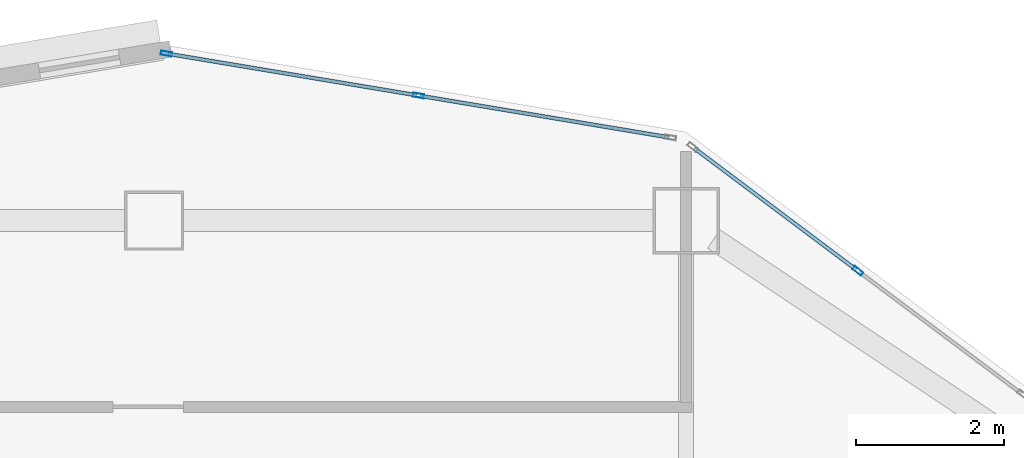
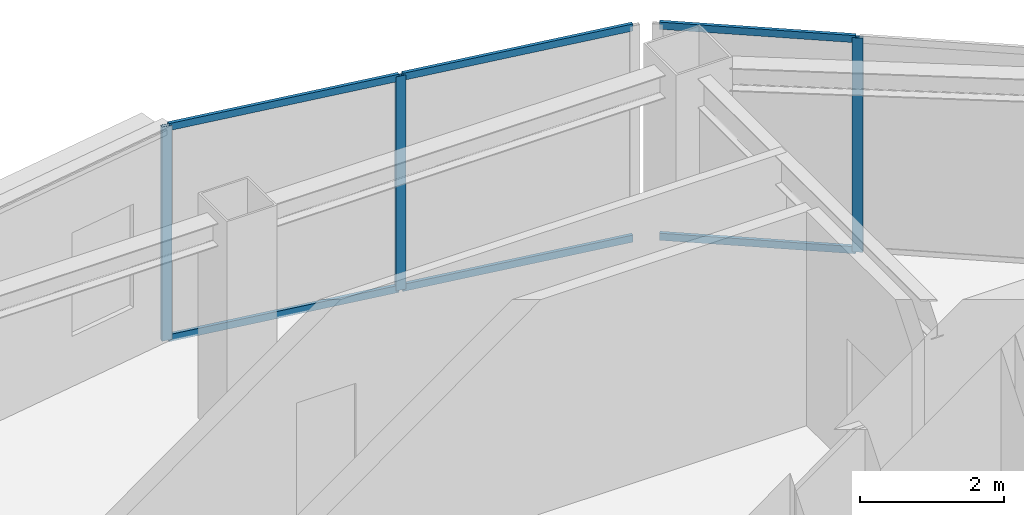
# One storey, part 2 of 11: 9 members, 2 elements without a shape of their own.
"""IFC4 building model written with IfcOpenShell, lengths in metres."""

from ifc_helpers import new_model, si_unit, direction, frame, origin, origin_2d, place, context, subcontext, project, spatial, hollow_rectangle, extrude, material, layer, layer_set, material_profile, profile_set, type_object, element, aggregate, save


model = new_model("IFC4")

# Units and contexts
model_context = context("Model", 3, precision=1e-05, world=origin(), true_north=direction((0.0, 1.0)))
body_context = subcontext(model_context, "Body", "Model", "MODEL_VIEW")
ifc_project = project(units=[si_unit("LENGTHUNIT", "METRE"), si_unit("AREAUNIT", "SQUARE_METRE"), si_unit("VOLUMEUNIT", "CUBIC_METRE"), si_unit("PLANEANGLEUNIT", "RADIAN"), si_unit("MASSUNIT", "GRAM", prefix="KILO")], contexts=[model_context])

# Site, building, storey
site_placement = place(None, origin())
site = spatial("IfcSite", under=ifc_project, at=site_placement, CompositionType="ELEMENT")
building_placement = place(site_placement, origin())
building = spatial("IfcBuilding", under=site, at=building_placement, Name="Haolan Belvedere Tower", CompositionType="ELEMENT")
storey_placement = place(building_placement, frame((0.0, 0.0, 199.39990234375)))
storey = spatial("IfcBuildingStorey", under=building, at=storey_placement, Name="L50", CompositionType="ELEMENT", Elevation=199.39990234375)

# Curtain wall, member
ifc_material_1 = material(Name="Anodised champagne-silver aluminium 6063-T6 and Low-E glass", Category="aluminium")
ifc_layer = layer(ifc_material_1, 0.14990234375, Name="Anodised champagne-silver aluminium 6063-T6 and Low-E glass")
ifc_layer_set = layer_set([ifc_layer], Name="Anodised champagne-silver aluminium 6063-T6 and Low-E glass")
curtain_wall_type = type_object("IfcCurtainWallType", Name="CW-SYS-04", PredefinedType="NOTDEFINED", material=ifc_layer_set)
curtain_wall_1_placement = place(storey_placement, origin())
curtain_wall_1 = element("IfcCurtainWall", 1, at=curtain_wall_1_placement, inside=storey, type_object=curtain_wall_type, Name="L50 CW-SYS-04 ribbon curtain wall 20.1", PredefinedType="NOTDEFINED")
ifc_material_2 = material(Name="Anodised aluminium 6063-T6", Category="aluminium")
ifc_material_profile_1 = material_profile(ifc_material_2, hollow_rectangle(XDim=0.055908203125, YDim=0.14990234375, WallThickness=0.00390625, at=origin_2d()), Name="Anodised aluminium 6063-T6")
ifc_profile_set_1 = profile_set([ifc_material_profile_1], Name="Anodised aluminium 6063-T6")
member_type_1 = type_object("IfcMemberType", Name="CW-SYS-04-MUL", PredefinedType="MULLION", material=ifc_profile_set_1)
member_1_placement = place(storey_placement, frame((47.9228515625, 49.720458984375, 0.0), z_axis=(0.0, 0.0, 1.0), x_axis=(-0.600002837806, -0.799997871638, 0.0)))
member_1 = element("IfcMember", 2, at=member_1_placement, type_object=member_type_1, Name="CW-04 mullion 2", PredefinedType="MULLION", context=body_context, shape_type="SweptSolid", body=[
    extrude(hollow_rectangle(XDim=0.055908203125, YDim=0.14990234375, WallThickness=0.00390625, at=origin_2d()), origin(), (0.0, 0.0, 1.0), 3.6201171875),
])

# Curtain wall, members
curtain_wall_2_placement = place(storey_placement, origin())
curtain_wall_2 = element("IfcCurtainWall", 3, at=curtain_wall_2_placement, inside=storey, type_object=curtain_wall_type, Name="L50 CW-SYS-04 ribbon curtain wall 21.1", PredefinedType="NOTDEFINED")
member_2_placement = place(storey_placement, frame((41.977783203125, 52.09228515625, 0.0), z_axis=(0.0, 0.0, 1.0), x_axis=(-0.164405962825, -0.98639276122, 0.0)))
member_2 = element("IfcMember", 4, at=member_2_placement, type_object=member_type_1, Name="CW-04 mullion 2", PredefinedType="MULLION", context=body_context, shape_type="SweptSolid", body=[
    extrude(hollow_rectangle(XDim=0.055908203125, YDim=0.14990234375, WallThickness=0.00390625, at=origin_2d()), origin(), (0.0, 0.0, 1.0), 3.6201171875),
])
member_3_placement = place(storey_placement, frame((38.565673828125, 52.660888671875, 0.0), z_axis=(0.0, 0.0, 1.0), x_axis=(-0.164405962825, -0.98639276122, 0.0)))
member_3 = element("IfcMember", 5, at=member_3_placement, type_object=member_type_1, Name="CW-04 mullion 3", PredefinedType="MULLION", context=body_context, shape_type="SweptSolid", body=[
    extrude(hollow_rectangle(XDim=0.055908203125, YDim=0.14990234375, WallThickness=0.00390625, at=origin_2d()), origin(), (0.0, 0.0, 1.0), 3.6201171875),
])

# Member
ifc_material_profile_2 = material_profile(ifc_material_2, hollow_rectangle(XDim=0.052001953125, YDim=0.1201171875, WallThickness=0.00390625, at=origin_2d()), Name="Anodised aluminium 6063-T6")
ifc_profile_set_2 = profile_set([ifc_material_profile_2], Name="Anodised aluminium 6063-T6")
member_type_2 = type_object("IfcMemberType", Name="CW-SYS-04-TRN", PredefinedType="USERDEFINED", material=ifc_profile_set_2)
member_4_placement = place(storey_placement, frame((47.900390625, 49.7373046875, 0.026123046875), z_axis=(-0.799978576274, 0.600028563905, 0.0), x_axis=(-0.600028563905, -0.799978576274, 0.0)))
member_4 = element("IfcMember", 6, at=member_4_placement, type_object=member_type_2, Name="CW-04 transom 2.1", ObjectType="TRANSOM", PredefinedType="USERDEFINED", context=body_context, shape_type="SweptSolid", body=[
    extrude(hollow_rectangle(XDim=0.052001953125, YDim=0.1201171875, WallThickness=0.00390625, at=origin_2d()), origin(), (0.0, 0.0, 1.0), 2.735107421875),
])

member_5_placement = place(storey_placement, frame((47.900390625, 49.7373046875, 3.593994140625), z_axis=(-0.799978576274, 0.600028563905, 0.0), x_axis=(-0.600028563905, -0.799978576274, 0.0)))
member_5 = element("IfcMember", 7, at=member_5_placement, type_object=member_type_2, Name="CW-04 transom 2.2", ObjectType="TRANSOM", PredefinedType="USERDEFINED", context=body_context, shape_type="SweptSolid", body=[
    extrude(hollow_rectangle(XDim=0.052001953125, YDim=0.1201171875, WallThickness=0.00390625, at=origin_2d()), origin(), (0.0, 0.0, 1.0), 2.735107421875),
])

aggregate(curtain_wall_1, [member_1, member_4, member_5])

member_6_placement = place(storey_placement, frame((45.362060546875, 51.528076171875, 0.026123046875), z_axis=(-0.986388106252, 0.164433888976, 0.0), x_axis=(-0.164433888976, -0.986388106252, 0.0)))
member_6 = element("IfcMember", 8, at=member_6_placement, type_object=member_type_2, Name="CW-04 transom 1.1", ObjectType="TRANSOM", PredefinedType="USERDEFINED", context=body_context, shape_type="SweptSolid", body=[
    extrude(hollow_rectangle(XDim=0.052001953125, YDim=0.1201171875, WallThickness=0.00390625, at=origin_2d()), origin(), (0.0, 0.0, 1.0), 3.403076171875),
])

member_7_placement = place(storey_placement, frame((45.362060546875, 51.528076171875, 3.593994140625), z_axis=(-0.986388106252, 0.164433888976, 0.0), x_axis=(-0.164433888976, -0.986388106252, 0.0)))
member_7 = element("IfcMember", 9, at=member_7_placement, type_object=member_type_2, Name="CW-04 transom 1.2", ObjectType="TRANSOM", PredefinedType="USERDEFINED", context=body_context, shape_type="SweptSolid", body=[
    extrude(hollow_rectangle(XDim=0.052001953125, YDim=0.1201171875, WallThickness=0.00390625, at=origin_2d()), origin(), (0.0, 0.0, 1.0), 3.403076171875),
])

member_8_placement = place(storey_placement, frame((41.9501953125, 52.096923828125, 0.026123046875), z_axis=(-0.986401678227, 0.164352454169, 0.0), x_axis=(-0.164352454169, -0.986401678227, 0.0)))
member_8 = element("IfcMember", 10, at=member_8_placement, type_object=member_type_2, Name="CW-04 transom 2.1", ObjectType="TRANSOM", PredefinedType="USERDEFINED", context=body_context, shape_type="SweptSolid", body=[
    extrude(hollow_rectangle(XDim=0.052001953125, YDim=0.1201171875, WallThickness=0.00390625, at=origin_2d()), origin(), (0.0, 0.0, 1.0), 3.4033203125),
])

member_9_placement = place(storey_placement, frame((41.9501953125, 52.096923828125, 3.593994140625), z_axis=(-0.986401678227, 0.164352454169, 0.0), x_axis=(-0.164352454169, -0.986401678227, 0.0)))
member_9 = element("IfcMember", 11, at=member_9_placement, type_object=member_type_2, Name="CW-04 transom 2.2", ObjectType="TRANSOM", PredefinedType="USERDEFINED", context=body_context, shape_type="SweptSolid", body=[
    extrude(hollow_rectangle(XDim=0.052001953125, YDim=0.1201171875, WallThickness=0.00390625, at=origin_2d()), origin(), (0.0, 0.0, 1.0), 3.4033203125),
])

aggregate(curtain_wall_2, [member_2, member_3, member_6, member_7, member_8, member_9])

save(model, "model.ifc")
